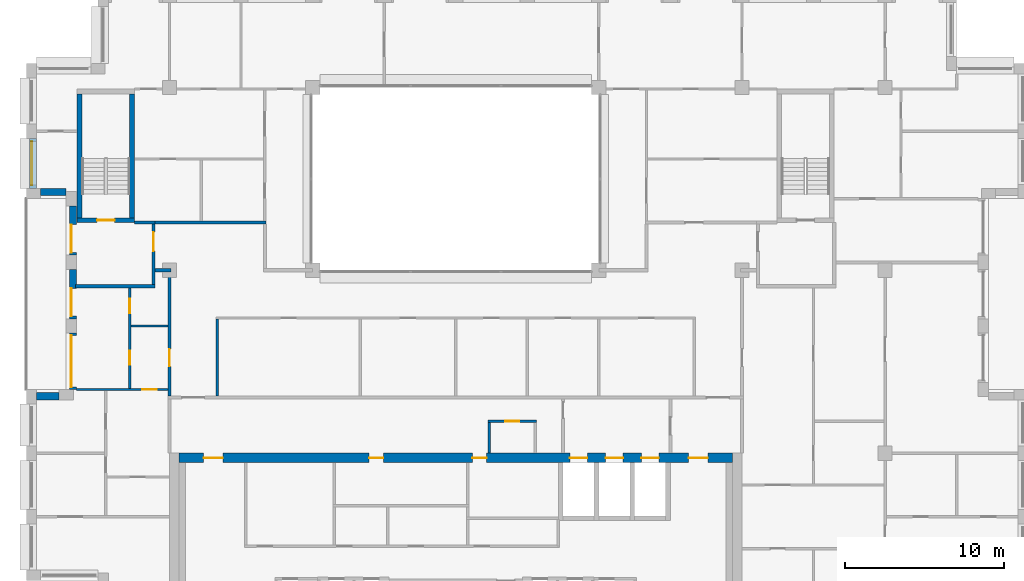
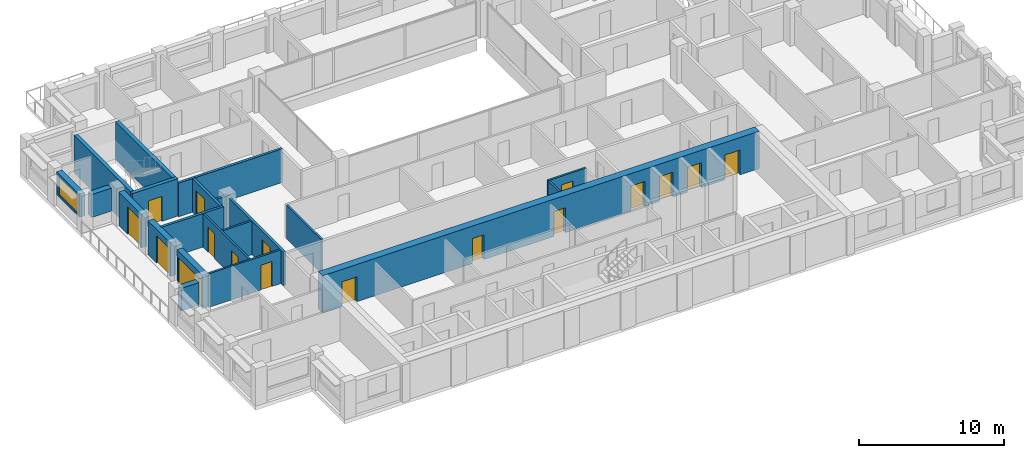
# One storey, part 9 of 15: 22 walls, 17 doors, 1 window, 18 openings.
"""IFC4 building model written with IfcOpenShell, lengths in metres."""

from ifc_helpers import new_model, si_unit, direction, frame, frame_2d, origin, place, context, subcontext, project, spatial, rectangle, extrude, material, layer, layer_set, type_object, element, fill, save


model = new_model("IFC4")

# Units and contexts
model_context = context("Model", 3, precision=1e-05, world=origin(), true_north=direction((0.0, 1.0)))
body_context = subcontext(model_context, "Body", "Model", "MODEL_VIEW")
ifc_project = project(units=[si_unit("LENGTHUNIT", "METRE"), si_unit("AREAUNIT", "SQUARE_METRE"), si_unit("VOLUMEUNIT", "CUBIC_METRE"), si_unit("PLANEANGLEUNIT", "RADIAN"), si_unit("MASSUNIT", "GRAM", prefix="KILO")], contexts=[model_context])

# Site, building, storey
site_placement = place(None, origin())
site = spatial("IfcSite", under=ifc_project, at=site_placement, CompositionType="ELEMENT")
building_placement = place(site_placement, origin())
building = spatial("IfcBuilding", under=site, at=building_placement, Name="Brigalow Station Residences", CompositionType="ELEMENT")
storey_placement = place(building_placement, frame((0.0, 0.0, 226.35009765625)))
storey = spatial("IfcBuildingStorey", under=building, at=storey_placement, Name="L65", CompositionType="ELEMENT", Elevation=226.35009765625)

# Wall, opening, window
ifc_material_1 = material(Name="Clay brick masonry", Category="masonry")
ifc_layer_1 = layer(ifc_material_1, 0.449951171875)
ifc_layer_set_1 = layer_set([ifc_layer_1], Name="BRICK INFILL WALL 450")
wall_type_1 = type_object("IfcWallType", Name="BRICK INFILL WALL 450", PredefinedType="SOLIDWALL", material=ifc_layer_set_1)
wall_1_placement = place(storey_placement, frame((9.425048828125, 32.300048828125, 0.89990234375), z_axis=(0.0, 0.0, 1.0), x_axis=(0.0, -1.0, 0.0)))
wall_1 = element("IfcWall", 1, at=wall_1_placement, inside=storey, type_object=wall_type_1, Name="L65/ewall/W-L65-35", PredefinedType="SOLIDWALL", context=body_context, shape_type="SweptSolid", body=[
    extrude(rectangle(XDim=3.150146484375, YDim=0.449951171875, at=frame_2d((1.5751953125, 0.0))), origin(), (0.0, 0.0, 1.0), 1.929931640625),
])
opening_1_placement = place(wall_1_placement, frame((0.199951171875, 0.0, 0.14990234375)))
opening_1 = element("IfcOpeningElement", 2, at=opening_1_placement, cuts=wall_1, Name="Opening WT-3", PredefinedType="OPENING", context=body_context, shape_type="SweptSolid", body=[
    extrude(rectangle(XDim=2.75, YDim=1.5, at=frame_2d((1.375, 0.75))), frame((0.0, 0.23486328125, 0.0), z_axis=(0.0, -1.0, 0.0), x_axis=(1.0, 0.0, 0.0)), (0.0, 0.0, 1.0), 0.469970703125),
])
ifc_material_2 = material(Name="Anodised aluminium frame with double glazing", Category="aluminium")
window_type = type_object("IfcWindowType", Name="WINDOW 2750x1500", PartitioningType="SINGLE_PANEL", PredefinedType="WINDOW", material=ifc_material_2)
window_placement = place(opening_1_placement, origin())
window = element("IfcWindow", 3, at=window_placement, inside=storey, type_object=window_type, Name="L65/window/W-L65-35", OverallHeight=1.5, OverallWidth=2.75, PartitioningType="SINGLE_PANEL", PredefinedType="WINDOW", context=body_context, shape_type="SweptSolid", body=[
    extrude(rectangle(XDim=2.75, YDim=1.5, at=frame_2d((1.375, 0.75))), frame((0.0, -0.06494140625, 0.0), z_axis=(0.0, -1.0, 0.0), x_axis=(1.0, 0.0, 0.0)), (0.0, 0.0, 1.0), 0.06005859375),
])
fill(opening_1, window)

# Wall
wall_2_placement = place(storey_placement, frame((9.89990234375, 28.925048828125, 0.89990234375), z_axis=(0.0, 0.0, 1.0), x_axis=(1.0, 0.0, 0.0)))
element("IfcWall", 4, at=wall_2_placement, inside=storey, type_object=wall_type_1, Name="L65/ewall/W-L65-36", PredefinedType="SOLIDWALL", context=body_context, shape_type="SweptSolid", body=[
    extrude(rectangle(XDim=1.60009765625, YDim=0.449951171875, at=frame_2d((0.800048828125, 0.0))), origin(), (0.0, 0.0, 1.0), 1.929931640625),
])

# Wall, opening, door
wall_3_placement = place(storey_placement, frame((11.925048828125, 28.050048828125, 0.0), z_axis=(0.0, 0.0, 1.0), x_axis=(0.0, -1.0, 0.0)))
wall_3 = element("IfcWall", 5, at=wall_3_placement, inside=storey, type_object=wall_type_1, Name="L65/ewall/W-L65-37", PredefinedType="SOLIDWALL", context=body_context, shape_type="SweptSolid", body=[
    extrude(rectangle(XDim=3.10009765625, YDim=0.449951171875, at=frame_2d((1.550048828125, 0.0))), origin(), (0.0, 0.0, 1.0), 2.829833984375),
])
opening_2_placement = place(wall_3_placement, frame((1.18505859375, 0.0, 0.0)))
opening_2 = element("IfcOpeningElement", 6, at=opening_2_placement, cuts=wall_3, Name="Opening D-B1750", PredefinedType="OPENING", context=body_context, shape_type="SweptSolid", body=[
    extrude(rectangle(XDim=1.75, YDim=2.300048828125, at=frame_2d((0.875, 1.14990234375))), frame((0.0, 0.23486328125, 0.0), z_axis=(0.0, -1.0, 0.0), x_axis=(1.0, 0.0, 0.0)), (0.0, 0.0, 1.0), 0.469970703125),
])
ifc_material_3 = material(Name="Anodised aluminium frame with double glazing", Category="aluminium")
door_type_1 = type_object("IfcDoorType", Name="BALCONY SLIDING DOOR 1750x2300", OperationType="SLIDING_TO_LEFT", PredefinedType="DOOR", material=ifc_material_3)
door_1_placement = place(opening_2_placement, frame((1.75, -0.18994140625, 0.0), z_axis=(0.0, 0.0, 1.0), x_axis=(-1.0, 0.0, 0.0)))
door_1 = element("IfcDoor", 7, at=door_1_placement, inside=storey, type_object=door_type_1, Name="L65/balcony-door/W-L65-37", OperationType="SLIDING_TO_LEFT", OverallHeight=2.300048828125, OverallWidth=1.75, PredefinedType="DOOR", context=body_context, shape_type="SweptSolid", body=[
    extrude(rectangle(XDim=1.75, YDim=2.300048828125, at=frame_2d((0.875, 1.14990234375))), frame((0.0, -0.06982421875, 0.0), z_axis=(0.0, -1.0, 0.0), x_axis=(1.0, 0.0, 0.0)), (0.0, 0.0, 1.0), 0.050048828125),
])
fill(opening_2, door_1)

wall_4_placement = place(storey_placement, frame((11.925048828125, 24.050048828125, 0.0), z_axis=(0.0, 0.0, 1.0), x_axis=(0.0, -1.0, 0.0)))
wall_4 = element("IfcWall", 8, at=wall_4_placement, inside=storey, type_object=wall_type_1, Name="L65/ewall/W-L65-38", PredefinedType="SOLIDWALL", context=body_context, shape_type="SweptSolid", body=[
    extrude(rectangle(XDim=3.10009765625, YDim=0.449951171875, at=frame_2d((1.550048828125, 0.0))), origin(), (0.0, 0.0, 1.0), 2.829833984375),
])
opening_3_placement = place(wall_4_placement, frame((1.18505859375, 0.0, 0.0)))
opening_3 = element("IfcOpeningElement", 9, at=opening_3_placement, cuts=wall_4, Name="Opening D-B1750", PredefinedType="OPENING", context=body_context, shape_type="SweptSolid", body=[
    extrude(rectangle(XDim=1.75, YDim=2.300048828125, at=frame_2d((0.875, 1.14990234375))), frame((0.0, 0.23486328125, 0.0), z_axis=(0.0, -1.0, 0.0), x_axis=(1.0, 0.0, 0.0)), (0.0, 0.0, 1.0), 0.469970703125),
])
door_2_placement = place(opening_3_placement, origin())
door_2 = element("IfcDoor", 10, at=door_2_placement, inside=storey, type_object=door_type_1, Name="L65/balcony-door/W-L65-38", OperationType="SLIDING_TO_LEFT", OverallHeight=2.300048828125, OverallWidth=1.75, PredefinedType="DOOR", context=body_context, shape_type="SweptSolid", body=[
    extrude(rectangle(XDim=1.75, YDim=2.300048828125, at=frame_2d((0.875, 1.14990234375))), frame((0.0, -0.06982421875, 0.0), z_axis=(0.0, -1.0, 0.0), x_axis=(1.0, 0.0, 0.0)), (0.0, 0.0, 1.0), 0.050048828125),
])
fill(opening_3, door_2)

wall_5_placement = place(storey_placement, frame((11.925048828125, 20.050048828125, 0.0), z_axis=(0.0, 0.0, 1.0), x_axis=(0.0, -1.0, 0.0)))
wall_5 = element("IfcWall", 11, at=wall_5_placement, inside=storey, type_object=wall_type_1, Name="L65/ewall/W-L65-39", PredefinedType="SOLIDWALL", context=body_context, shape_type="SweptSolid", body=[
    extrude(rectangle(XDim=3.550048828125, YDim=0.449951171875, at=frame_2d((1.77490234375, 0.0))), origin(), (0.0, 0.0, 1.0), 2.829833984375),
])
opening_4_placement = place(wall_5_placement, frame((0.14990234375, 0.0, 0.0)))
opening_4 = element("IfcOpeningElement", 12, at=opening_4_placement, cuts=wall_5, Name="Opening D-B3250", PredefinedType="OPENING", context=body_context, shape_type="SweptSolid", body=[
    extrude(rectangle(XDim=3.25, YDim=2.300048828125, at=frame_2d((1.625, 1.14990234375))), frame((0.0, 0.23486328125, 0.0), z_axis=(0.0, -1.0, 0.0), x_axis=(1.0, 0.0, 0.0)), (0.0, 0.0, 1.0), 0.469970703125),
])
ifc_material_4 = material(Name="Anodised aluminium frame with double glazing", Category="aluminium")
door_type_2 = type_object("IfcDoorType", Name="BALCONY SLIDING DOOR 3250x2300", OperationType="SLIDING_TO_LEFT", PredefinedType="DOOR", material=ifc_material_4)
door_3_placement = place(opening_4_placement, origin())
door_3 = element("IfcDoor", 13, at=door_3_placement, inside=storey, type_object=door_type_2, Name="L65/balcony-door/W-L65-39", OperationType="SLIDING_TO_LEFT", OverallHeight=2.300048828125, OverallWidth=3.25, PredefinedType="DOOR", context=body_context, shape_type="SweptSolid", body=[
    extrude(rectangle(XDim=3.25, YDim=2.300048828125, at=frame_2d((1.625, 1.14990234375))), frame((0.0, -0.06982421875, 0.0), z_axis=(0.0, -1.0, 0.0), x_axis=(1.0, 0.0, 0.0)), (0.0, 0.0, 1.0), 0.050048828125),
])
fill(opening_4, door_3)

# Wall
wall_6_placement = place(storey_placement, frame((11.050048828125, 16.074951171875, 0.89990234375), z_axis=(0.0, 0.0, 1.0), x_axis=(-1.0, 0.0, 0.0)))
element("IfcWall", 14, at=wall_6_placement, inside=storey, type_object=wall_type_1, Name="L65/ewall/W-L65-40", PredefinedType="SOLIDWALL", context=body_context, shape_type="SweptSolid", body=[
    extrude(rectangle(XDim=1.400146484375, YDim=0.449951171875, at=frame_2d((0.7001953125, 0.0))), origin(), (0.0, 0.0, 1.0), 1.929931640625),
])

# Wall, opening, door
ifc_material_5 = material(Name="Concrete C50", Category="concrete")
ifc_layer_2 = layer(ifc_material_5, 0.300048828125)
ifc_layer_set_2 = layer_set([ifc_layer_2], Name="CORE SHEAR WALL 300 C50")
wall_type_2 = type_object("IfcWallType", Name="CORE SHEAR WALL 300 C50", PredefinedType="SHEAR", material=ifc_layer_set_2)
wall_7_placement = place(storey_placement, frame((12.199951171875, 27.14990234375, 0.0), z_axis=(0.0, 0.0, 1.0), x_axis=(1.0, 0.0, 0.0)))
wall_7 = element("IfcWall", 15, at=wall_7_placement, inside=storey, type_object=wall_type_2, Name="CORE WALL ST-S1-S L65", PredefinedType="SHEAR", context=body_context, shape_type="SweptSolid", body=[
    extrude(rectangle(XDim=3.60009765625, YDim=0.300048828125, at=frame_2d((1.800048828125, 0.0))), origin(), (0.0, 0.0, 1.0), 3.14990234375),
])
opening_5_placement = place(wall_7_placement, frame((1.25, 0.0, 0.0)))
opening_5 = element("IfcOpeningElement", 16, at=opening_5_placement, cuts=wall_7, Name="Opening D-5015", PredefinedType="OPENING", context=body_context, shape_type="SweptSolid", body=[
    extrude(rectangle(XDim=1.10009765625, YDim=2.10009765625, at=frame_2d((0.550048828125, 1.050048828125))), frame((0.0, 0.16015625, 0.0), z_axis=(0.0, -1.0, 0.0), x_axis=(1.0, 0.0, 0.0)), (0.0, 0.0, 1.0), 0.320068359375),
])
ifc_material_6 = material(Name="Steel fire door leaf in steel frame", Category="steel")
door_type_3 = type_object("IfcDoorType", Name="STAIR DOOR 1100 x 2100 FD60S", OperationType="SINGLE_SWING_LEFT", PredefinedType="DOOR", material=ifc_material_6)
door_4_placement = place(opening_5_placement, origin())
door_4 = element("IfcDoor", 17, at=door_4_placement, inside=storey, type_object=door_type_3, Name="D-5015", OperationType="SINGLE_SWING_LEFT", OverallHeight=2.10009765625, OverallWidth=1.10009765625, PredefinedType="DOOR", context=body_context, shape_type="SweptSolid", body=[
    extrude(rectangle(XDim=1.10009765625, YDim=2.10009765625, at=frame_2d((0.550048828125, 1.050048828125))), frame((0.0, 0.02490234375, 0.0), z_axis=(0.0, -1.0, 0.0), x_axis=(1.0, 0.0, 0.0)), (0.0, 0.0, 1.0), 0.050048828125),
])
fill(opening_5, door_4)

# Walls
for number, where, z_axis, x_axis, name in (
    (18, (12.35009765625, 27.300048828125, 0.0), (0.0, 0.0, 1.0), (0.0, 1.0, 0.0), "CORE WALL ST-S1-W L65"),
    (19, (15.64990234375, 27.300048828125, 0.0), (0.0, 0.0, 1.0), (0.0, 1.0, 0.0), "CORE WALL ST-S1-E L65"),
):
    element("IfcWall", number, at=place(storey_placement, frame(where, z_axis=z_axis, x_axis=x_axis)), inside=storey, type_object=wall_type_2, Name=name, PredefinedType="SHEAR", context=body_context, shape_type="SweptSolid", body=[
        extrude(rectangle(XDim=7.800048828125, YDim=0.300048828125, at=frame_2d((3.89990234375, 0.0))), origin(), (0.0, 0.0, 1.0), 3.14990234375),
    ])

# Wall, openings, doors
ifc_material_7 = material(Name="Concrete C50", Category="concrete")
ifc_layer_3 = layer(ifc_material_7, 0.60009765625)
ifc_layer_set_3 = layer_set([ifc_layer_3], Name="CORE SHEAR WALL 600 C50")
wall_type_3 = type_object("IfcWallType", Name="CORE SHEAR WALL 600 C50", PredefinedType="SHEAR", material=ifc_layer_set_3)
wall_8_placement = place(storey_placement, frame((18.60009765625, 12.199951171875, 0.0), z_axis=(0.0, 0.0, 1.0), x_axis=(1.0, 0.0, 0.0)))
wall_8 = element("IfcWall", 20, at=wall_8_placement, inside=storey, type_object=wall_type_3, Name="CORE WALL OUT-N L65", PredefinedType="SHEAR", context=body_context, shape_type="SweptSolid", body=[
    extrude(rectangle(XDim=34.7998046875, YDim=0.60009765625, at=frame_2d((17.39990234375, 0.0))), origin(), (0.0, 0.0, 1.0), 3.14990234375),
])
opening_6_placement = place(wall_8_placement, frame((24.574951171875, 0.0, 0.0)))
opening_6 = element("IfcOpeningElement", 21, at=opening_6_placement, cuts=wall_8, Name="Opening LD-LF1", PredefinedType="OPENING", context=body_context, shape_type="SweptSolid", body=[
    extrude(rectangle(XDim=1.10009765625, YDim=2.10009765625, at=frame_2d((0.550048828125, 1.050048828125))), frame((0.0, 0.31005859375, 0.0), z_axis=(0.0, -1.0, 0.0), x_axis=(1.0, 0.0, 0.0)), (0.0, 0.0, 1.0), 0.6201171875),
])
opening_7_placement = place(wall_8_placement, frame((26.824951171875, 0.0, 0.0)))
opening_7 = element("IfcOpeningElement", 22, at=opening_7_placement, cuts=wall_8, Name="Opening LD-LF2", PredefinedType="OPENING", context=body_context, shape_type="SweptSolid", body=[
    extrude(rectangle(XDim=1.10009765625, YDim=2.10009765625, at=frame_2d((0.550048828125, 1.050048828125))), frame((0.0, 0.31005859375, 0.0), z_axis=(0.0, -1.0, 0.0), x_axis=(1.0, 0.0, 0.0)), (0.0, 0.0, 1.0), 0.6201171875),
])
opening_8_placement = place(wall_8_placement, frame((29.074951171875, 0.0, 0.0)))
opening_8 = element("IfcOpeningElement", 23, at=opening_8_placement, cuts=wall_8, Name="Opening LD-LG1", PredefinedType="OPENING", context=body_context, shape_type="SweptSolid", body=[
    extrude(rectangle(XDim=1.10009765625, YDim=2.10009765625, at=frame_2d((0.550048828125, 1.050048828125))), frame((0.0, 0.31005859375, 0.0), z_axis=(0.0, -1.0, 0.0), x_axis=(1.0, 0.0, 0.0)), (0.0, 0.0, 1.0), 0.6201171875),
])
opening_9_placement = place(wall_8_placement, frame((11.949951171875, 0.0, 0.0)))
opening_9 = element("IfcOpeningElement", 24, at=opening_9_placement, cuts=wall_8, Name="Opening D-5122", PredefinedType="OPENING", context=body_context, shape_type="SweptSolid", body=[
    extrude(rectangle(XDim=0.89990234375, YDim=2.10009765625, at=frame_2d((0.449951171875, 1.050048828125))), frame((0.0, 0.31005859375, 0.0), z_axis=(0.0, -1.0, 0.0), x_axis=(1.0, 0.0, 0.0)), (0.0, 0.0, 1.0), 0.6201171875),
])
opening_10_placement = place(wall_8_placement, frame((18.449951171875, 0.0, 0.0)))
opening_10 = element("IfcOpeningElement", 25, at=opening_10_placement, cuts=wall_8, Name="Opening D-5119", PredefinedType="OPENING", context=body_context, shape_type="SweptSolid", body=[
    extrude(rectangle(XDim=0.89990234375, YDim=2.10009765625, at=frame_2d((0.449951171875, 1.050048828125))), frame((0.0, 0.31005859375, 0.0), z_axis=(0.0, -1.0, 0.0), x_axis=(1.0, 0.0, 0.0)), (0.0, 0.0, 1.0), 0.6201171875),
])
opening_11_placement = place(wall_8_placement, frame((1.550048828125, 0.0, 0.0)))
opening_11 = element("IfcOpeningElement", 26, at=opening_11_placement, cuts=wall_8, Name="Opening D-5011", PredefinedType="OPENING", context=body_context, shape_type="SweptSolid", body=[
    extrude(rectangle(XDim=1.199951171875, YDim=2.10009765625, at=frame_2d((0.60009765625, 1.050048828125))), frame((0.0, 0.31005859375, 0.0), z_axis=(0.0, -1.0, 0.0), x_axis=(1.0, 0.0, 0.0)), (0.0, 0.0, 1.0), 0.6201171875),
])
opening_12_placement = place(wall_8_placement, frame((32.050048828125, 0.0, 0.0)))
opening_12 = element("IfcOpeningElement", 27, at=opening_12_placement, cuts=wall_8, Name="Opening D-5012", PredefinedType="OPENING", context=body_context, shape_type="SweptSolid", body=[
    extrude(rectangle(XDim=1.199951171875, YDim=2.10009765625, at=frame_2d((0.60009765625, 1.050048828125))), frame((0.0, 0.31005859375, 0.0), z_axis=(0.0, -1.0, 0.0), x_axis=(1.0, 0.0, 0.0)), (0.0, 0.0, 1.0), 0.6201171875),
])
ifc_material_8 = material(Name="Steel fire door leaf in steel frame", Category="steel")
door_type_4 = type_object("IfcDoorType", Name="CORE CORRIDOR DOOR 1200 x 2100 FD60S", OperationType="SINGLE_SWING_LEFT", PredefinedType="DOOR", material=ifc_material_8)
door_5_placement = place(opening_11_placement, frame((1.199951171875, 0.0, 0.0), z_axis=(0.0, 0.0, 1.0), x_axis=(-1.0, 0.0, 0.0)))
door_5 = element("IfcDoor", 28, at=door_5_placement, inside=storey, type_object=door_type_4, Name="D-5011", OperationType="SINGLE_SWING_LEFT", OverallHeight=2.10009765625, OverallWidth=1.199951171875, PredefinedType="DOOR", context=body_context, shape_type="SweptSolid", body=[
    extrude(rectangle(XDim=1.199951171875, YDim=2.10009765625, at=frame_2d((0.60009765625, 1.050048828125))), frame((0.0, 0.02490234375, 0.0), z_axis=(0.0, -1.0, 0.0), x_axis=(1.0, 0.0, 0.0)), (0.0, 0.0, 1.0), 0.050048828125),
])
fill(opening_11, door_5)
door_6_placement = place(opening_12_placement, frame((1.199951171875, 0.0, 0.0), z_axis=(0.0, 0.0, 1.0), x_axis=(-1.0, 0.0, 0.0)))
door_6 = element("IfcDoor", 29, at=door_6_placement, inside=storey, type_object=door_type_4, Name="D-5012", OperationType="SINGLE_SWING_LEFT", OverallHeight=2.10009765625, OverallWidth=1.199951171875, PredefinedType="DOOR", context=body_context, shape_type="SweptSolid", body=[
    extrude(rectangle(XDim=1.199951171875, YDim=2.10009765625, at=frame_2d((0.60009765625, 1.050048828125))), frame((0.0, 0.02490234375, 0.0), z_axis=(0.0, -1.0, 0.0), x_axis=(1.0, 0.0, 0.0)), (0.0, 0.0, 1.0), 0.050048828125),
])
fill(opening_12, door_6)
ifc_material_9 = material(Name="Stainless steel sliding door leaves", Category="steel")
door_type_5 = type_object("IfcDoorType", Name="LIFT LANDING DOOR 1100 x 2100", OperationType="DOUBLE_DOOR_SLIDING", PredefinedType="DOOR", material=ifc_material_9)
door_7_placement = place(opening_6_placement, origin())
door_7 = element("IfcDoor", 30, at=door_7_placement, inside=storey, type_object=door_type_5, Name="LANDING DOOR LF1", OperationType="DOUBLE_DOOR_SLIDING", OverallHeight=2.10009765625, OverallWidth=1.10009765625, PredefinedType="DOOR", context=body_context, shape_type="SweptSolid", body=[
    extrude(rectangle(XDim=1.10009765625, YDim=2.10009765625, at=frame_2d((0.550048828125, 1.050048828125))), frame((0.0, 0.02490234375, 0.0), z_axis=(0.0, -1.0, 0.0), x_axis=(1.0, 0.0, 0.0)), (0.0, 0.0, 1.0), 0.050048828125),
])
fill(opening_6, door_7)
door_8_placement = place(opening_7_placement, origin())
door_8 = element("IfcDoor", 31, at=door_8_placement, inside=storey, type_object=door_type_5, Name="LANDING DOOR LF2", OperationType="DOUBLE_DOOR_SLIDING", OverallHeight=2.10009765625, OverallWidth=1.10009765625, PredefinedType="DOOR", context=body_context, shape_type="SweptSolid", body=[
    extrude(rectangle(XDim=1.10009765625, YDim=2.10009765625, at=frame_2d((0.550048828125, 1.050048828125))), frame((0.0, 0.02490234375, 0.0), z_axis=(0.0, -1.0, 0.0), x_axis=(1.0, 0.0, 0.0)), (0.0, 0.0, 1.0), 0.050048828125),
])
fill(opening_7, door_8)
door_9_placement = place(opening_8_placement, origin())
door_9 = element("IfcDoor", 32, at=door_9_placement, inside=storey, type_object=door_type_5, Name="LANDING DOOR LG1", OperationType="DOUBLE_DOOR_SLIDING", OverallHeight=2.10009765625, OverallWidth=1.10009765625, PredefinedType="DOOR", context=body_context, shape_type="SweptSolid", body=[
    extrude(rectangle(XDim=1.10009765625, YDim=2.10009765625, at=frame_2d((0.550048828125, 1.050048828125))), frame((0.0, 0.02490234375, 0.0), z_axis=(0.0, -1.0, 0.0), x_axis=(1.0, 0.0, 0.0)), (0.0, 0.0, 1.0), 0.050048828125),
])
fill(opening_8, door_9)
ifc_material_10 = material(Name="Steel door leaf in steel frame", Category="steel")
door_type_6 = type_object("IfcDoorType", Name="SERVICE ROOM DOOR 900 x 2100 FD60", OperationType="SINGLE_SWING_LEFT", PredefinedType="DOOR", material=ifc_material_10)
door_10_placement = place(opening_9_placement, frame((0.89990234375, 0.0, 0.0), z_axis=(0.0, 0.0, 1.0), x_axis=(-1.0, 0.0, 0.0)))
door_10 = element("IfcDoor", 33, at=door_10_placement, inside=storey, type_object=door_type_6, Name="D-5122", OperationType="SINGLE_SWING_RIGHT", OverallHeight=2.10009765625, OverallWidth=0.89990234375, PredefinedType="DOOR", context=body_context, shape_type="SweptSolid", body=[
    extrude(rectangle(XDim=0.89990234375, YDim=2.10009765625, at=frame_2d((0.449951171875, 1.050048828125))), frame((0.0, 0.02490234375, 0.0), z_axis=(0.0, -1.0, 0.0), x_axis=(1.0, 0.0, 0.0)), (0.0, 0.0, 1.0), 0.050048828125),
])
fill(opening_9, door_10)
door_11_placement = place(opening_10_placement, frame((0.89990234375, 0.0, 0.0), z_axis=(0.0, 0.0, 1.0), x_axis=(-1.0, 0.0, 0.0)))
door_11 = element("IfcDoor", 34, at=door_11_placement, inside=storey, type_object=door_type_6, Name="D-5119", OperationType="SINGLE_SWING_RIGHT", OverallHeight=2.10009765625, OverallWidth=0.89990234375, PredefinedType="DOOR", context=body_context, shape_type="SweptSolid", body=[
    extrude(rectangle(XDim=0.89990234375, YDim=2.10009765625, at=frame_2d((0.449951171875, 1.050048828125))), frame((0.0, 0.02490234375, 0.0), z_axis=(0.0, -1.0, 0.0), x_axis=(1.0, 0.0, 0.0)), (0.0, 0.0, 1.0), 0.050048828125),
])
fill(opening_10, door_11)

# Walls
ifc_material_11 = material(Name="Concrete blockwork", Category="masonry")
ifc_layer_4 = layer(ifc_material_11, 0.199951171875)
ifc_layer_set_4 = layer_set([ifc_layer_4], Name="FIRE RATED CORE PARTITION 200")
wall_type_4 = type_object("IfcWallType", Name="FIRE RATED CORE PARTITION 200", PredefinedType="PARTITIONING", material=ifc_layer_set_4)
wall_9_placement = place(storey_placement, frame((12.10009765625, 23.0, 0.0), z_axis=(0.0, 0.0, 1.0), x_axis=(1.0, 0.0, 0.0)))
element("IfcWall", 35, at=wall_9_placement, inside=storey, type_object=wall_type_4, Name="PW-5023", PredefinedType="PARTITIONING", context=body_context, shape_type="SweptSolid", body=[
    extrude(rectangle(XDim=5.0, YDim=0.199951171875, at=frame_2d((2.5, 0.0))), origin(), (0.0, 0.0, 1.0), 2.829833984375),
])
wall_10_placement = place(storey_placement, frame((15.800048828125, 27.0, 0.0), z_axis=(0.0, 0.0, 1.0), x_axis=(1.0, 0.0, 0.0)))
element("IfcWall", 36, at=wall_10_placement, inside=storey, type_object=wall_type_4, Name="PW-5025", PredefinedType="PARTITIONING", context=body_context, shape_type="SweptSolid", body=[
    extrude(rectangle(XDim=1.300048828125, YDim=0.199951171875, at=frame_2d((0.64990234375, 0.0))), origin(), (0.0, 0.0, 1.0), 2.829833984375),
])

# Wall, opening, door
wall_11_placement = place(storey_placement, frame((17.0, 23.10009765625, 0.0), z_axis=(0.0, 0.0, 1.0), x_axis=(0.0, 1.0, 0.0)))
wall_11 = element("IfcWall", 37, at=wall_11_placement, inside=storey, type_object=wall_type_4, Name="PW-5035", PredefinedType="PARTITIONING", context=body_context, shape_type="SweptSolid", body=[
    extrude(rectangle(XDim=3.7998046875, YDim=0.199951171875, at=frame_2d((1.89990234375, 0.0))), origin(), (0.0, 0.0, 1.0), 2.829833984375),
])
opening_13_placement = place(wall_11_placement, frame((2.10009765625, 0.0, 0.0)))
opening_13 = element("IfcOpeningElement", 38, at=opening_13_placement, cuts=wall_11, Name="Opening D-5016", PredefinedType="OPENING", context=body_context, shape_type="SweptSolid", body=[
    extrude(rectangle(XDim=1.199951171875, YDim=2.10009765625, at=frame_2d((0.60009765625, 1.050048828125))), frame((0.0, 0.10986328125, 0.0), z_axis=(0.0, -1.0, 0.0), x_axis=(1.0, 0.0, 0.0)), (0.0, 0.0, 1.0), 0.219970703125),
])
ifc_material_12 = material(Name="Steel fire door leaf in steel frame", Category="steel")
door_type_7 = type_object("IfcDoorType", Name="STAIR LOBBY DOOR 1200 x 2100 FD60S", OperationType="SINGLE_SWING_LEFT", PredefinedType="DOOR", material=ifc_material_12)
door_12_placement = place(opening_13_placement, origin())
door_12 = element("IfcDoor", 39, at=door_12_placement, inside=storey, type_object=door_type_7, Name="D-5016", OperationType="SINGLE_SWING_RIGHT", OverallHeight=2.10009765625, OverallWidth=1.199951171875, PredefinedType="DOOR", context=body_context, shape_type="SweptSolid", body=[
    extrude(rectangle(XDim=1.199951171875, YDim=2.10009765625, at=frame_2d((0.60009765625, 1.050048828125))), frame((0.0, 0.02490234375, 0.0), z_axis=(0.0, -1.0, 0.0), x_axis=(1.0, 0.0, 0.0)), (0.0, 0.0, 1.0), 0.050048828125),
])
fill(opening_13, door_12)

# Wall
ifc_material_13 = material(Name="Plasterboard on steel stud partition", Category="steel")
ifc_layer_5 = layer(ifc_material_13, 0.14990234375)
ifc_layer_set_5 = layer_set([ifc_layer_5], Name="FLAT PARTITION 150")
wall_type_5 = type_object("IfcWallType", Name="FLAT PARTITION 150", PredefinedType="PARTITIONING", material=ifc_layer_set_5)
wall_12_placement = place(storey_placement, frame((15.574951171875, 20.5, 0.0), z_axis=(0.0, 0.0, 1.0), x_axis=(1.0, 0.0, 0.0)))
element("IfcWall", 40, at=wall_12_placement, inside=storey, type_object=wall_type_5, Name="PW-4D08", PredefinedType="PARTITIONING", context=body_context, shape_type="SweptSolid", body=[
    extrude(rectangle(XDim=2.324951171875, YDim=0.14990234375, at=frame_2d((1.16259765625, 0.0))), origin(), (0.0, 0.0, 1.0), 2.829833984375),
])

# Wall, opening, door
wall_13_placement = place(storey_placement, frame((12.14990234375, 16.5, 0.0), z_axis=(0.0, 0.0, 1.0), x_axis=(1.0, 0.0, 0.0)))
wall_13 = element("IfcWall", 41, at=wall_13_placement, inside=storey, type_object=wall_type_5, Name="PW-4D09", PredefinedType="PARTITIONING", context=body_context, shape_type="SweptSolid", body=[
    extrude(rectangle(XDim=5.75, YDim=0.14990234375, at=frame_2d((2.875, 0.0))), origin(), (0.0, 0.0, 1.0), 2.829833984375),
])
opening_14_placement = place(wall_13_placement, frame((4.14990234375, 0.0, 0.0)))
opening_14 = element("IfcOpeningElement", 42, at=opening_14_placement, cuts=wall_13, Name="Opening D-4D04", PredefinedType="OPENING", context=body_context, shape_type="SweptSolid", body=[
    extrude(rectangle(XDim=0.89990234375, YDim=2.10009765625, at=frame_2d((0.449951171875, 1.050048828125))), frame((0.0, 0.0849609375, 0.0), z_axis=(0.0, -1.0, 0.0), x_axis=(1.0, 0.0, 0.0)), (0.0, 0.0, 1.0), 0.169921875),
])
ifc_material_14 = material(Name="Solid-core timber door leaf", Category="wood")
door_type_8 = type_object("IfcDoorType", Name="INTERNAL DOOR 900 x 2100", OperationType="SINGLE_SWING_LEFT", PredefinedType="DOOR", material=ifc_material_14)
door_13_placement = place(opening_14_placement, origin())
door_13 = element("IfcDoor", 43, at=door_13_placement, inside=storey, type_object=door_type_8, Name="D-4D04", OperationType="SINGLE_SWING_RIGHT", OverallHeight=2.10009765625, OverallWidth=0.89990234375, PredefinedType="DOOR", context=body_context, shape_type="SweptSolid", body=[
    extrude(rectangle(XDim=0.89990234375, YDim=2.10009765625, at=frame_2d((0.449951171875, 1.050048828125))), frame((0.0, 0.02490234375, 0.0), z_axis=(0.0, -1.0, 0.0), x_axis=(1.0, 0.0, 0.0)), (0.0, 0.0, 1.0), 0.050048828125),
])
fill(opening_14, door_13)

# Wall
wall_14_placement = place(storey_placement, frame((21.0, 16.10009765625, 0.0), z_axis=(0.0, 0.0, 1.0), x_axis=(0.0, 1.0, 0.0)))
element("IfcWall", 44, at=wall_14_placement, inside=storey, type_object=wall_type_5, Name="PW-4D32", PredefinedType="PARTITIONING", context=body_context, shape_type="SweptSolid", body=[
    extrude(rectangle(XDim=4.824951171875, YDim=0.14990234375, at=frame_2d((2.41259765625, 0.0))), origin(), (0.0, 0.0, 1.0), 2.829833984375),
])

# Wall, openings, doors
wall_15_placement = place(storey_placement, frame((15.5, 16.574951171875, 0.0), z_axis=(0.0, 0.0, 1.0), x_axis=(0.0, 1.0, 0.0)))
wall_15 = element("IfcWall", 45, at=wall_15_placement, inside=storey, type_object=wall_type_5, Name="PW-4D38", PredefinedType="PARTITIONING", context=body_context, shape_type="SweptSolid", body=[
    extrude(rectangle(XDim=6.324951171875, YDim=0.14990234375, at=frame_2d((3.16259765625, 0.0))), origin(), (0.0, 0.0, 1.0), 2.829833984375),
])
opening_15_placement = place(wall_15_placement, frame((1.47509765625, 0.0, 0.0)))
opening_15 = element("IfcOpeningElement", 46, at=opening_15_placement, cuts=wall_15, Name="Opening D-4D05", PredefinedType="OPENING", context=body_context, shape_type="SweptSolid", body=[
    extrude(rectangle(XDim=0.89990234375, YDim=2.10009765625, at=frame_2d((0.449951171875, 1.050048828125))), frame((0.0, 0.0849609375, 0.0), z_axis=(0.0, -1.0, 0.0), x_axis=(1.0, 0.0, 0.0)), (0.0, 0.0, 1.0), 0.169921875),
])
opening_16_placement = place(wall_15_placement, frame((4.72509765625, 0.0, 0.0)))
opening_16 = element("IfcOpeningElement", 47, at=opening_16_placement, cuts=wall_15, Name="Opening D-4D06", PredefinedType="OPENING", context=body_context, shape_type="SweptSolid", body=[
    extrude(rectangle(XDim=0.89990234375, YDim=2.10009765625, at=frame_2d((0.449951171875, 1.050048828125))), frame((0.0, 0.0849609375, 0.0), z_axis=(0.0, -1.0, 0.0), x_axis=(1.0, 0.0, 0.0)), (0.0, 0.0, 1.0), 0.169921875),
])
door_14_placement = place(opening_15_placement, frame((0.89990234375, 0.0, 0.0), z_axis=(0.0, 0.0, 1.0), x_axis=(-1.0, 0.0, 0.0)))
door_14 = element("IfcDoor", 48, at=door_14_placement, inside=storey, type_object=door_type_8, Name="D-4D05", OperationType="SINGLE_SWING_RIGHT", OverallHeight=2.10009765625, OverallWidth=0.89990234375, PredefinedType="DOOR", context=body_context, shape_type="SweptSolid", body=[
    extrude(rectangle(XDim=0.89990234375, YDim=2.10009765625, at=frame_2d((0.449951171875, 1.050048828125))), frame((0.0, 0.02490234375, 0.0), z_axis=(0.0, -1.0, 0.0), x_axis=(1.0, 0.0, 0.0)), (0.0, 0.0, 1.0), 0.050048828125),
])
fill(opening_15, door_14)
door_15_placement = place(opening_16_placement, frame((0.89990234375, 0.0, 0.0), z_axis=(0.0, 0.0, 1.0), x_axis=(-1.0, 0.0, 0.0)))
door_15 = element("IfcDoor", 49, at=door_15_placement, inside=storey, type_object=door_type_8, Name="D-4D06", OperationType="SINGLE_SWING_LEFT", OverallHeight=2.10009765625, OverallWidth=0.89990234375, PredefinedType="DOOR", context=body_context, shape_type="SweptSolid", body=[
    extrude(rectangle(XDim=0.89990234375, YDim=2.10009765625, at=frame_2d((0.449951171875, 1.050048828125))), frame((0.0, 0.02490234375, 0.0), z_axis=(0.0, -1.0, 0.0), x_axis=(1.0, 0.0, 0.0)), (0.0, 0.0, 1.0), 0.050048828125),
])
fill(opening_16, door_15)

# Walls
ifc_material_15 = material(Name="Plasterboard on steel stud partition", Category="steel")
ifc_layer_6 = layer(ifc_material_15, 0.199951171875)
ifc_layer_set_6 = layer_set([ifc_layer_6], Name="PARTY AND CORRIDOR WALL 200")
wall_type_6 = type_object("IfcWallType", Name="PARTY AND CORRIDOR WALL 200", PredefinedType="PARTITIONING", material=ifc_layer_set_6)
wall_16_placement = place(storey_placement, frame((17.10009765625, 24.0, 0.0), z_axis=(0.0, 0.0, 1.0), x_axis=(1.0, 0.0, 0.0)))
element("IfcWall", 50, at=wall_16_placement, inside=storey, type_object=wall_type_6, Name="PW-4D01", PredefinedType="PARTITIONING", context=body_context, shape_type="SweptSolid", body=[
    extrude(rectangle(XDim=1.0, YDim=0.199951171875, at=frame_2d((0.5, 0.0))), origin(), (0.0, 0.0, 1.0), 2.829833984375),
])
wall_17_placement = place(storey_placement, frame((17.10009765625, 27.0, 0.0), z_axis=(0.0, 0.0, 1.0), x_axis=(1.0, 0.0, 0.0)))
element("IfcWall", 51, at=wall_17_placement, inside=storey, type_object=wall_type_6, Name="PW-4D06", PredefinedType="PARTITIONING", context=body_context, shape_type="SweptSolid", body=[
    extrude(rectangle(XDim=6.974853515625, YDim=0.199951171875, at=frame_2d((3.4873046875, 0.0))), origin(), (0.0, 0.0, 1.0), 2.829833984375),
])

# Wall, opening, door
wall_18_placement = place(storey_placement, frame((18.0, 16.10009765625, 0.0), z_axis=(0.0, 0.0, 1.0), x_axis=(0.0, 1.0, 0.0)))
wall_18 = element("IfcWall", 52, at=wall_18_placement, inside=storey, type_object=wall_type_6, Name="PW-4D29", PredefinedType="PARTITIONING", context=body_context, shape_type="SweptSolid", body=[
    extrude(rectangle(XDim=7.7998046875, YDim=0.199951171875, at=frame_2d((3.89990234375, 0.0))), origin(), (0.0, 0.0, 1.0), 2.829833984375),
])
opening_17_placement = place(wall_18_placement, frame((1.85009765625, 0.0, 0.0)))
opening_17 = element("IfcOpeningElement", 53, at=opening_17_placement, cuts=wall_18, Name="Opening D-4D03", PredefinedType="OPENING", context=body_context, shape_type="SweptSolid", body=[
    extrude(rectangle(XDim=1.10009765625, YDim=2.10009765625, at=frame_2d((0.550048828125, 1.050048828125))), frame((0.0, 0.10986328125, 0.0), z_axis=(0.0, -1.0, 0.0), x_axis=(1.0, 0.0, 0.0)), (0.0, 0.0, 1.0), 0.219970703125),
])
ifc_material_16 = material(Name="Solid-core timber door leaf", Category="wood")
door_type_9 = type_object("IfcDoorType", Name="FLAT ENTRANCE DOOR 1100 x 2100 FRL -/60/30", OperationType="SINGLE_SWING_LEFT", PredefinedType="DOOR", material=ifc_material_16)
door_16_placement = place(opening_17_placement, origin())
door_16 = element("IfcDoor", 54, at=door_16_placement, inside=storey, type_object=door_type_9, Name="D-4D03", OperationType="SINGLE_SWING_RIGHT", OverallHeight=2.10009765625, OverallWidth=1.10009765625, PredefinedType="DOOR", context=body_context, shape_type="SweptSolid", body=[
    extrude(rectangle(XDim=1.10009765625, YDim=2.10009765625, at=frame_2d((0.550048828125, 1.050048828125))), frame((0.0, 0.02490234375, 0.0), z_axis=(0.0, -1.0, 0.0), x_axis=(1.0, 0.0, 0.0)), (0.0, 0.0, 1.0), 0.050048828125),
])
fill(opening_17, door_16)

ifc_material_17 = material(Name="Plasterboard on steel studs", Category="steel")
ifc_layer_7 = layer(ifc_material_17, 0.14990234375)
ifc_layer_set_7 = layer_set([ifc_layer_7], Name="SERVICE ROOM PARTITION 150")
wall_type_7 = type_object("IfcWallType", Name="SERVICE ROOM PARTITION 150", PredefinedType="PARTITIONING", material=ifc_layer_set_7)
wall_19_placement = place(storey_placement, frame((38.02490234375, 14.5, 0.0), z_axis=(0.0, 0.0, 1.0), x_axis=(1.0, 0.0, 0.0)))
wall_19 = element("IfcWall", 55, at=wall_19_placement, inside=storey, type_object=wall_type_7, Name="PW-5138", PredefinedType="PARTITIONING", context=body_context, shape_type="SweptSolid", body=[
    extrude(rectangle(XDim=3.050048828125, YDim=0.14990234375, at=frame_2d((1.52490234375, 0.0))), origin(), (0.0, 0.0, 1.0), 2.829833984375),
])
opening_18_placement = place(wall_19_placement, frame((1.074951171875, 0.0, 0.0)))
opening_18 = element("IfcOpeningElement", 56, at=opening_18_placement, cuts=wall_19, Name="Opening D-5079", PredefinedType="OPENING", context=body_context, shape_type="SweptSolid", body=[
    extrude(rectangle(XDim=0.89990234375, YDim=2.10009765625, at=frame_2d((0.449951171875, 1.050048828125))), frame((0.0, 0.0849609375, 0.0), z_axis=(0.0, -1.0, 0.0), x_axis=(1.0, 0.0, 0.0)), (0.0, 0.0, 1.0), 0.169921875),
])
door_17_placement = place(opening_18_placement, frame((0.89990234375, 0.0, 0.0), z_axis=(0.0, 0.0, 1.0), x_axis=(-1.0, 0.0, 0.0)))
door_17 = element("IfcDoor", 57, at=door_17_placement, inside=storey, type_object=door_type_6, Name="D-5079", OperationType="SINGLE_SWING_RIGHT", OverallHeight=2.10009765625, OverallWidth=0.89990234375, PredefinedType="DOOR", context=body_context, shape_type="SweptSolid", body=[
    extrude(rectangle(XDim=0.89990234375, YDim=2.10009765625, at=frame_2d((0.449951171875, 1.050048828125))), frame((0.0, 0.02490234375, 0.0), z_axis=(0.0, -1.0, 0.0), x_axis=(1.0, 0.0, 0.0)), (0.0, 0.0, 1.0), 0.050048828125),
])
fill(opening_18, door_17)

# Wall
wall_20_placement = place(storey_placement, frame((38.10009765625, 12.5, 0.0), z_axis=(0.0, 0.0, 1.0), x_axis=(0.0, 1.0, 0.0)))
element("IfcWall", 58, at=wall_20_placement, inside=storey, type_object=wall_type_7, Name="PW-5139", PredefinedType="PARTITIONING", context=body_context, shape_type="SweptSolid", body=[
    extrude(rectangle(XDim=1.925048828125, YDim=0.14990234375, at=frame_2d((0.96240234375, 0.0))), origin(), (0.0, 0.0, 1.0), 2.829833984375),
])

save(model, "model.ifc")
